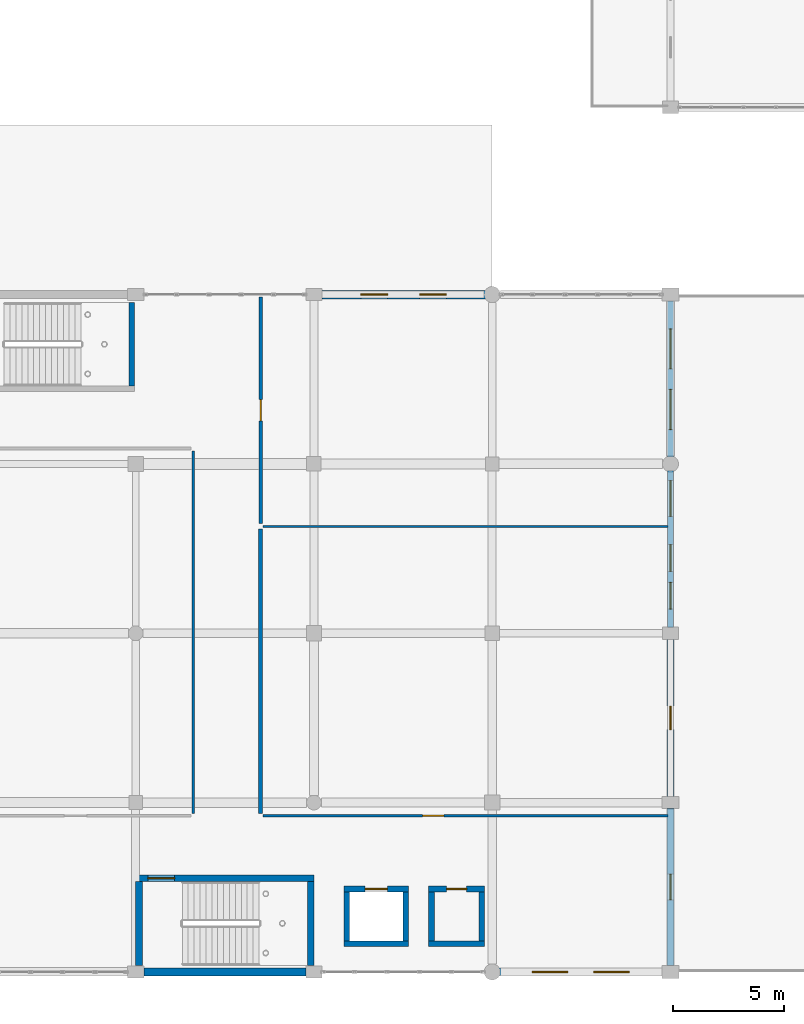
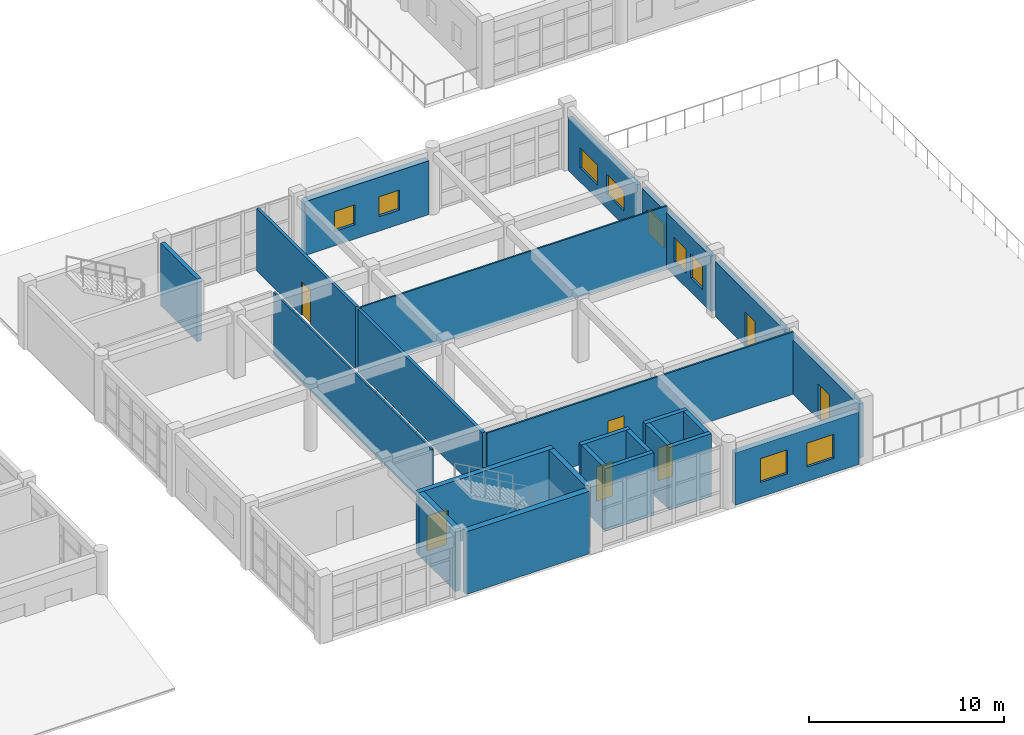
# One storey, part 172 of 195: 24 walls, 9 windows, 7 doors, 16 openings.
"""IFC4 building model written with IfcOpenShell, lengths in metres."""

from ifc_helpers import new_model, si_unit, direction, frame, frame_2d, origin, place, context, subcontext, project, spatial, rectangle, extrude, material, layer, layer_set, type_object, element, fill, save


model = new_model("IFC4")

# Units and contexts
model_context = context("Model", 3, precision=1e-05, world=origin(), true_north=direction((0.0, 1.0)))
body_context = subcontext(model_context, "Body", "Model", "MODEL_VIEW")
ifc_project = project(units=[si_unit("LENGTHUNIT", "METRE"), si_unit("AREAUNIT", "SQUARE_METRE"), si_unit("VOLUMEUNIT", "CUBIC_METRE"), si_unit("PLANEANGLEUNIT", "RADIAN"), si_unit("MASSUNIT", "GRAM", prefix="KILO")], contexts=[model_context])

# Site, building, storey
site_placement = place(None, origin())
site = spatial("IfcSite", under=ifc_project, at=site_placement, CompositionType="ELEMENT")
building_placement = place(site_placement, origin())
building = spatial("IfcBuilding", under=site, at=building_placement, Name="Kharva Crest Polytechnic", CompositionType="ELEMENT")
storey_placement = place(building_placement, frame((0.0, 0.0, 9.0)))
storey = spatial("IfcBuildingStorey", under=building, at=storey_placement, Name="L02", CompositionType="ELEMENT", Elevation=9.0)

# Wall, opening, door
ifc_material_1 = material(Name="Concrete C40/50", Category="concrete")
ifc_layer_1 = layer(ifc_material_1, 0.300048828125, Name="Concrete C40/50")
ifc_layer_set_1 = layer_set([ifc_layer_1], Name="Concrete C40/50")
wall_type_1 = type_object("IfcWallType", Name="WL-CORE-CW2-300", PredefinedType="SHEAR", material=ifc_layer_set_1)
wall_1_placement = place(storey_placement, frame((128.800048828125, 4.2099609375, 0.0), z_axis=(0.0, 0.0, 1.0), x_axis=(1.0, 0.0, 0.0)))
wall_1 = element("IfcWall", 1, at=wall_1_placement, inside=storey, type_object=wall_type_1, Name="L02 South-East Refectory Escarpment Core C6 North Shear Wall", PredefinedType="SHEAR", context=body_context, shape_type="SweptSolid", body=[
    extrude(rectangle(XDim=8.0, YDim=0.300048828125, at=frame_2d((4.0, 0.0))), origin(), (0.0, 0.0, 1.0), 3.919921875),
])
opening_1_placement = place(wall_1_placement, frame((0.550048828125, 0.0, 0.0)))
opening_1 = element("IfcOpeningElement", 2, at=opening_1_placement, cuts=wall_1, Name="Opening FD1", PredefinedType="OPENING", context=body_context, shape_type="SweptSolid", body=[
    extrude(rectangle(XDim=1.199951171875, YDim=2.199951171875, at=frame_2d((0.60009765625, 1.10009765625))), frame((0.0, 0.159912109375, 0.0), z_axis=(0.0, -1.0, 0.0), x_axis=(1.0, 0.0, 0.0)), (0.0, 0.0, 1.0), 0.320068359375),
])
ifc_material_2 = material(Name="Teak timber", Category="wood")
door_type_1 = type_object("IfcDoorType", Name="DR-STAIR-1200X2200", OperationType="NOTDEFINED", PredefinedType="DOOR", material=ifc_material_2)
door_1_placement = place(opening_1_placement, origin())
door_1 = element("IfcDoor", 3, at=door_1_placement, inside=storey, type_object=door_type_1, Name="L02 ST-06 Stair Door", OperationType="SINGLE_SWING_LEFT", OverallHeight=2.199951171875, OverallWidth=1.199951171875, PredefinedType="DOOR", context=body_context, shape_type="SweptSolid", body=[
    extrude(rectangle(XDim=1.199951171875, YDim=2.199951171875, at=frame_2d((0.60009765625, 1.10009765625))), frame((0.0, 0.02490234375, 0.0), z_axis=(0.0, -1.0, 0.0), x_axis=(1.0, 0.0, 0.0)), (0.0, 0.0, 1.0), 0.050048828125),
])
fill(opening_1, door_1)

# Walls
for number, where, z_axis, x_axis, name in (
    (4, (128.949951171875, 0.300048828125, 0.0), (0.0, 0.0, 1.0), (0.0, 1.0, 0.0), "L02 South-East Refectory Escarpment Core C6 West Shear Wall"),
    (5, (136.64990234375, 0.300048828125, 0.0), (0.0, 0.0, 1.0), (0.0, 1.0, 0.0), "L02 South-East Refectory Escarpment Core C6 East Shear Wall"),
):
    element("IfcWall", number, at=place(storey_placement, frame(where, z_axis=z_axis, x_axis=x_axis)), inside=storey, type_object=wall_type_1, Name=name, PredefinedType="SHEAR", context=body_context, shape_type="SweptSolid", body=[
        extrude(rectangle(XDim=3.760009765625, YDim=0.300048828125, at=frame_2d((1.8798828125, 0.0))), origin(), (0.0, 0.0, 1.0), 3.919921875),
    ])

# Wall, openings, windows
ifc_material_3 = material(Name="Kiln brick masonry", Category="masonry")
ifc_layer_2 = layer(ifc_material_3, 0.27490234375, Name="Kiln brick masonry")
ifc_layer_set_2 = layer_set([ifc_layer_2], Name="Kiln brick masonry")
wall_type_2 = type_object("IfcWallType", Name="WL-EXT-BRK-275", PredefinedType="SOLIDWALL", material=ifc_layer_set_2)
wall_2_placement = place(storey_placement, frame((152.800048828125, 23.102294921875, 0.0), z_axis=(0.0, 0.0, 1.0), x_axis=(0.0, 1.0, 0.0)))
wall_2 = element("IfcWall", 6, at=wall_2_placement, inside=storey, type_object=wall_type_2, Name="L02 Exterior Brick Wall 246", PredefinedType="SOLIDWALL", context=body_context, shape_type="SweptSolid", body=[
    extrude(rectangle(XDim=7.002685546875, YDim=0.27490234375, at=frame_2d((3.50146484375, 0.0))), origin(), (0.0, 0.0, 1.0), 3.300048828125),
])
opening_2_placement = place(wall_2_placement, frame((1.240966796875, 0.0, 0.89990234375)))
opening_2 = element("IfcOpeningElement", 7, at=opening_2_placement, cuts=wall_2, Name="Opening W19", PredefinedType="OPENING", context=body_context, shape_type="SweptSolid", body=[
    extrude(rectangle(XDim=1.800048828125, YDim=1.25, at=frame_2d((0.89990234375, 0.625))), frame((0.0, 0.1474609375, 0.0), z_axis=(0.0, -1.0, 0.0), x_axis=(1.0, 0.0, 0.0)), (0.0, 0.0, 1.0), 0.294921875),
])
opening_3_placement = place(wall_2_placement, frame((3.9619140625, 0.0, 0.89990234375)))
opening_3 = element("IfcOpeningElement", 8, at=opening_3_placement, cuts=wall_2, Name="Opening W19", PredefinedType="OPENING", context=body_context, shape_type="SweptSolid", body=[
    extrude(rectangle(XDim=1.800048828125, YDim=1.25, at=frame_2d((0.89990234375, 0.625))), frame((0.0, 0.1474609375, 0.0), z_axis=(0.0, -1.0, 0.0), x_axis=(1.0, 0.0, 0.0)), (0.0, 0.0, 1.0), 0.294921875),
])
ifc_material_4 = material(Name="Anodised aluminium", Category="aluminium")
window_type_1 = type_object("IfcWindowType", Name="WIN-ALU-1800X1250", PartitioningType="SINGLE_PANEL", PredefinedType="WINDOW", material=ifc_material_4)
window_1_placement = place(opening_2_placement, origin())
window_1 = element("IfcWindow", 9, at=window_1_placement, inside=storey, type_object=window_type_1, Name="L02 Exterior Window 328", OverallHeight=1.25, OverallWidth=1.800048828125, PartitioningType="SINGLE_PANEL", PredefinedType="WINDOW", context=body_context, shape_type="SweptSolid", body=[
    extrude(rectangle(XDim=1.800048828125, YDim=1.25, at=frame_2d((0.89990234375, 0.625))), frame((0.0, 0.030029296875, 0.0), z_axis=(0.0, -1.0, 0.0), x_axis=(1.0, 0.0, 0.0)), (0.0, 0.0, 1.0), 0.06005859375),
])
fill(opening_2, window_1)
window_2_placement = place(opening_3_placement, origin())
window_2 = element("IfcWindow", 10, at=window_2_placement, inside=storey, type_object=window_type_1, Name="L02 Exterior Window 329", OverallHeight=1.25, OverallWidth=1.800048828125, PartitioningType="SINGLE_PANEL", PredefinedType="WINDOW", context=body_context, shape_type="SweptSolid", body=[
    extrude(rectangle(XDim=1.800048828125, YDim=1.25, at=frame_2d((0.89990234375, 0.625))), frame((0.0, 0.030029296875, 0.0), z_axis=(0.0, -1.0, 0.0), x_axis=(1.0, 0.0, 0.0)), (0.0, 0.0, 1.0), 0.06005859375),
])
fill(opening_3, window_2)

ifc_layer_3 = layer(ifc_material_3, 0.2900390625, Name="Kiln brick masonry")
ifc_layer_set_3 = layer_set([ifc_layer_3], Name="Kiln brick masonry")
wall_type_3 = type_object("IfcWallType", Name="WL-EXT-BRK-290", PredefinedType="SOLIDWALL", material=ifc_layer_set_3)
wall_3_placement = place(storey_placement, frame((152.800048828125, 15.469970703125, 0.0), z_axis=(0.0, 0.0, 1.0), x_axis=(0.0, 1.0, 0.0)))
wall_3 = element("IfcWall", 11, at=wall_3_placement, inside=storey, type_object=wall_type_3, Name="L02 Exterior Brick Wall 245", PredefinedType="SOLIDWALL", context=body_context, shape_type="SweptSolid", body=[
    extrude(rectangle(XDim=7.027587890625, YDim=0.2900390625, at=frame_2d((3.513671875, 0.0))), origin(), (0.0, 0.0, 1.0), 3.47998046875),
])
opening_4_placement = place(wall_3_placement, frame((0.81689453125, 0.0, 0.89990234375)))
opening_4 = element("IfcOpeningElement", 12, at=opening_4_placement, cuts=wall_3, Name="Opening W16", PredefinedType="OPENING", context=body_context, shape_type="SweptSolid", body=[
    extrude(rectangle(XDim=1.199951171875, YDim=1.5, at=frame_2d((0.60009765625, 0.75))), frame((0.0, 0.155029296875, 0.0), z_axis=(0.0, -1.0, 0.0), x_axis=(1.0, 0.0, 0.0)), (0.0, 0.0, 1.0), 0.31005859375),
])
opening_5_placement = place(wall_3_placement, frame((2.512939453125, 0.0, 0.89990234375)))
opening_5 = element("IfcOpeningElement", 13, at=opening_5_placement, cuts=wall_3, Name="Opening W16", PredefinedType="OPENING", context=body_context, shape_type="SweptSolid", body=[
    extrude(rectangle(XDim=1.199951171875, YDim=1.5, at=frame_2d((0.60009765625, 0.75))), frame((0.0, 0.155029296875, 0.0), z_axis=(0.0, -1.0, 0.0), x_axis=(1.0, 0.0, 0.0)), (0.0, 0.0, 1.0), 0.31005859375),
])
opening_6_placement = place(wall_3_placement, frame((4.97900390625, 0.0, 0.89990234375)))
opening_6 = element("IfcOpeningElement", 14, at=opening_6_placement, cuts=wall_3, Name="Opening W14", PredefinedType="OPENING", context=body_context, shape_type="SweptSolid", body=[
    extrude(rectangle(XDim=1.60009765625, YDim=1.5, at=frame_2d((0.800048828125, 0.75))), frame((0.0, 0.155029296875, 0.0), z_axis=(0.0, -1.0, 0.0), x_axis=(1.0, 0.0, 0.0)), (0.0, 0.0, 1.0), 0.31005859375),
])
window_type_2 = type_object("IfcWindowType", Name="WIN-ALU-1200X1500", PartitioningType="SINGLE_PANEL", PredefinedType="WINDOW", material=ifc_material_4)
window_3_placement = place(opening_4_placement, origin())
window_3 = element("IfcWindow", 15, at=window_3_placement, inside=storey, type_object=window_type_2, Name="L02 Exterior Window 325", OverallHeight=1.5, OverallWidth=1.199951171875, PartitioningType="SINGLE_PANEL", PredefinedType="WINDOW", context=body_context, shape_type="SweptSolid", body=[
    extrude(rectangle(XDim=1.199951171875, YDim=1.5, at=frame_2d((0.60009765625, 0.75))), frame((0.0, 0.030029296875, 0.0), z_axis=(0.0, -1.0, 0.0), x_axis=(1.0, 0.0, 0.0)), (0.0, 0.0, 1.0), 0.06005859375),
])
fill(opening_4, window_3)
window_4_placement = place(opening_5_placement, origin())
window_4 = element("IfcWindow", 16, at=window_4_placement, inside=storey, type_object=window_type_2, Name="L02 Exterior Window 326", OverallHeight=1.5, OverallWidth=1.199951171875, PartitioningType="SINGLE_PANEL", PredefinedType="WINDOW", context=body_context, shape_type="SweptSolid", body=[
    extrude(rectangle(XDim=1.199951171875, YDim=1.5, at=frame_2d((0.60009765625, 0.75))), frame((0.0, 0.030029296875, 0.0), z_axis=(0.0, -1.0, 0.0), x_axis=(1.0, 0.0, 0.0)), (0.0, 0.0, 1.0), 0.06005859375),
])
fill(opening_5, window_4)
window_type_3 = type_object("IfcWindowType", Name="WIN-ALU-1600X1500", PartitioningType="SINGLE_PANEL", PredefinedType="WINDOW", material=ifc_material_4)
window_5_placement = place(opening_6_placement, origin())
window_5 = element("IfcWindow", 17, at=window_5_placement, inside=storey, type_object=window_type_3, Name="L02 Exterior Window 327", OverallHeight=1.5, OverallWidth=1.60009765625, PartitioningType="SINGLE_PANEL", PredefinedType="WINDOW", context=body_context, shape_type="SweptSolid", body=[
    extrude(rectangle(XDim=1.60009765625, YDim=1.5, at=frame_2d((0.800048828125, 0.75))), frame((0.0, 0.030029296875, 0.0), z_axis=(0.0, -1.0, 0.0), x_axis=(1.0, 0.0, 0.0)), (0.0, 0.0, 1.0), 0.06005859375),
])
fill(opening_6, window_5)

# Wall, opening, door
ifc_layer_4 = layer(ifc_material_3, 0.304931640625, Name="Kiln brick masonry")
ifc_layer_set_4 = layer_set([ifc_layer_4], Name="Kiln brick masonry")
wall_type_4 = type_object("IfcWallType", Name="WL-EXT-BRK-305", PredefinedType="SOLIDWALL", material=ifc_layer_set_4)
wall_4_placement = place(storey_placement, frame((152.800048828125, 7.8701171875, 0.0), z_axis=(0.0, 0.0, 1.0), x_axis=(0.0, 1.0, 0.0)))
wall_4 = element("IfcWall", 18, at=wall_4_placement, inside=storey, type_object=wall_type_4, Name="L02 Exterior Brick Wall 244", PredefinedType="SOLIDWALL", context=body_context, shape_type="SweptSolid", body=[
    extrude(rectangle(XDim=7.059814453125, YDim=0.304931640625, at=frame_2d((3.52978515625, 0.0))), origin(), (0.0, 0.0, 1.0), 3.4599609375),
])
opening_7_placement = place(wall_4_placement, frame((3.0048828125, 0.0, 0.0)))
opening_7 = element("IfcOpeningElement", 19, at=opening_7_placement, cuts=wall_4, Name="Opening ED10", PredefinedType="OPENING", context=body_context, shape_type="SweptSolid", body=[
    extrude(rectangle(XDim=1.050048828125, YDim=2.14990234375, at=frame_2d((0.52490234375, 1.074951171875))), frame((0.0, 0.162353515625, 0.0), z_axis=(0.0, -1.0, 0.0), x_axis=(1.0, 0.0, 0.0)), (0.0, 0.0, 1.0), 0.324951171875),
])
door_type_2 = type_object("IfcDoorType", Name="DR-EXT-TER-1050X2150", OperationType="NOTDEFINED", PredefinedType="DOOR", material=ifc_material_4)
door_2_placement = place(opening_7_placement, frame((1.050048828125, 0.0, 0.0), z_axis=(0.0, 0.0, 1.0), x_axis=(-1.0, 0.0, 0.0)))
door_2 = element("IfcDoor", 20, at=door_2_placement, inside=storey, type_object=door_type_2, Name="L02 TER_SE_L02 Access Door 43", OperationType="SINGLE_SWING_LEFT", OverallHeight=2.14990234375, OverallWidth=1.050048828125, PredefinedType="DOOR", context=body_context, shape_type="SweptSolid", body=[
    extrude(rectangle(XDim=1.050048828125, YDim=2.14990234375, at=frame_2d((0.52490234375, 1.074951171875))), frame((0.0, 0.02490234375, 0.0), z_axis=(0.0, -1.0, 0.0), x_axis=(1.0, 0.0, 0.0)), (0.0, 0.0, 1.0), 0.050048828125),
])
fill(opening_7, door_2)

ifc_layer_5 = layer(ifc_material_3, 0.320068359375, Name="Kiln brick masonry")
ifc_layer_set_5 = layer_set([ifc_layer_5], Name="Kiln brick masonry")
wall_type_5 = type_object("IfcWallType", Name="WL-EXT-BRK-320", PredefinedType="SOLIDWALL", material=ifc_layer_set_5)
wall_5_placement = place(storey_placement, frame((152.800048828125, 0.294921875, 0.0), z_axis=(0.0, 0.0, 1.0), x_axis=(0.0, 1.0, 0.0)))
wall_5 = element("IfcWall", 21, at=wall_5_placement, inside=storey, type_object=wall_type_5, Name="L02 Exterior Brick Wall 243", PredefinedType="SOLIDWALL", context=body_context, shape_type="SweptSolid", body=[
    extrude(rectangle(XDim=7.03515625, YDim=0.320068359375, at=frame_2d((3.517578125, 0.0))), origin(), (0.0, 0.0, 1.0), 3.39990234375),
])
opening_8_placement = place(wall_5_placement, frame((2.94189453125, 0.0, 0.0)))
opening_8 = element("IfcOpeningElement", 22, at=opening_8_placement, cuts=wall_5, Name="Opening ED9", PredefinedType="OPENING", context=body_context, shape_type="SweptSolid", body=[
    extrude(rectangle(XDim=1.14990234375, YDim=2.199951171875, at=frame_2d((0.574951171875, 1.10009765625))), frame((0.0, 0.169921875, 0.0), z_axis=(0.0, -1.0, 0.0), x_axis=(1.0, 0.0, 0.0)), (0.0, 0.0, 1.0), 0.340087890625),
])
door_type_3 = type_object("IfcDoorType", Name="DR-EXT-TER-1150X2200", OperationType="NOTDEFINED", PredefinedType="DOOR", material=ifc_material_4)
door_3_placement = place(opening_8_placement, frame((1.14990234375, 0.0, 0.0), z_axis=(0.0, 0.0, 1.0), x_axis=(-1.0, 0.0, 0.0)))
door_3 = element("IfcDoor", 23, at=door_3_placement, inside=storey, type_object=door_type_3, Name="L02 TER_SE_L02 Access Door 42", OperationType="SINGLE_SWING_RIGHT", OverallHeight=2.199951171875, OverallWidth=1.14990234375, PredefinedType="DOOR", context=body_context, shape_type="SweptSolid", body=[
    extrude(rectangle(XDim=1.14990234375, YDim=2.199951171875, at=frame_2d((0.574951171875, 1.10009765625))), frame((0.0, 0.02490234375, 0.0), z_axis=(0.0, -1.0, 0.0), x_axis=(1.0, 0.0, 0.0)), (0.0, 0.0, 1.0), 0.050048828125),
])
fill(opening_8, door_3)

# Wall, openings, windows
ifc_layer_6 = layer(ifc_material_3, 0.3349609375, Name="Kiln brick masonry")
ifc_layer_set_6 = layer_set([ifc_layer_6], Name="Kiln brick masonry")
wall_type_6 = type_object("IfcWallType", Name="WL-EXT-BRK-335", PredefinedType="SOLIDWALL", material=ifc_layer_set_6)
wall_6_placement = place(storey_placement, frame((145.102294921875, 0.0, 0.0), z_axis=(0.0, 0.0, 1.0), x_axis=(1.0, 0.0, 0.0)))
wall_6 = element("IfcWall", 24, at=wall_6_placement, inside=storey, type_object=wall_type_6, Name="L02 Exterior Brick Wall 242", PredefinedType="SOLIDWALL", context=body_context, shape_type="SweptSolid", body=[
    extrude(rectangle(XDim=7.32763671875, YDim=0.3349609375, at=frame_2d((3.663818359375, 0.0))), origin(), (0.0, 0.0, 1.0), 3.27001953125),
])
opening_9_placement = place(wall_6_placement, frame((1.48291015625, 0.0, 0.89990234375)))
opening_9 = element("IfcOpeningElement", 25, at=opening_9_placement, cuts=wall_6, Name="Opening W14", PredefinedType="OPENING", context=body_context, shape_type="SweptSolid", body=[
    extrude(rectangle(XDim=1.60009765625, YDim=1.5, at=frame_2d((0.800048828125, 0.75))), frame((0.0, 0.177490234375, 0.0), z_axis=(0.0, -1.0, 0.0), x_axis=(1.0, 0.0, 0.0)), (0.0, 0.0, 1.0), 0.35498046875),
])
opening_10_placement = place(wall_6_placement, frame((4.2451171875, 0.0, 0.89990234375)))
opening_10 = element("IfcOpeningElement", 26, at=opening_10_placement, cuts=wall_6, Name="Opening W14", PredefinedType="OPENING", context=body_context, shape_type="SweptSolid", body=[
    extrude(rectangle(XDim=1.60009765625, YDim=1.5, at=frame_2d((0.800048828125, 0.75))), frame((0.0, 0.177490234375, 0.0), z_axis=(0.0, -1.0, 0.0), x_axis=(1.0, 0.0, 0.0)), (0.0, 0.0, 1.0), 0.35498046875),
])
window_6_placement = place(opening_9_placement, origin())
window_6 = element("IfcWindow", 27, at=window_6_placement, inside=storey, type_object=window_type_3, Name="L02 Exterior Window 323", OverallHeight=1.5, OverallWidth=1.60009765625, PartitioningType="SINGLE_PANEL", PredefinedType="WINDOW", context=body_context, shape_type="SweptSolid", body=[
    extrude(rectangle(XDim=1.60009765625, YDim=1.5, at=frame_2d((0.800048828125, 0.75))), frame((0.0, 0.030029296875, 0.0), z_axis=(0.0, -1.0, 0.0), x_axis=(1.0, 0.0, 0.0)), (0.0, 0.0, 1.0), 0.06005859375),
])
fill(opening_9, window_6)
window_7_placement = place(opening_10_placement, origin())
window_7 = element("IfcWindow", 28, at=window_7_placement, inside=storey, type_object=window_type_3, Name="L02 Exterior Window 324", OverallHeight=1.5, OverallWidth=1.60009765625, PartitioningType="SINGLE_PANEL", PredefinedType="WINDOW", context=body_context, shape_type="SweptSolid", body=[
    extrude(rectangle(XDim=1.60009765625, YDim=1.5, at=frame_2d((0.800048828125, 0.75))), frame((0.0, 0.030029296875, 0.0), z_axis=(0.0, -1.0, 0.0), x_axis=(1.0, 0.0, 0.0)), (0.0, 0.0, 1.0), 0.06005859375),
])
fill(opening_10, window_7)

# Wall
ifc_layer_7 = layer(ifc_material_3, 0.364990234375, Name="Kiln brick masonry")
ifc_layer_set_7 = layer_set([ifc_layer_7], Name="Kiln brick masonry")
wall_type_7 = type_object("IfcWallType", Name="WL-EXT-BRK-365", PredefinedType="SOLIDWALL", material=ifc_layer_set_7)
wall_7_placement = place(storey_placement, frame((129.169921875, 0.0, 0.0), z_axis=(0.0, 0.0, 1.0), x_axis=(1.0, 0.0, 0.0)))
element("IfcWall", 29, at=wall_7_placement, inside=storey, type_object=wall_type_7, Name="L02 Exterior Brick Wall 241", PredefinedType="SOLIDWALL", context=body_context, shape_type="SweptSolid", body=[
    extrude(rectangle(XDim=7.275146484375, YDim=0.364990234375, at=frame_2d((3.6376953125, 0.0))), origin(), (0.0, 0.0, 1.0), 3.919921875),
])

# Wall, openings, windows
ifc_layer_8 = layer(ifc_material_3, 0.3798828125, Name="Kiln brick masonry")
ifc_layer_set_8 = layer_set([ifc_layer_8], Name="Kiln brick masonry")
wall_type_8 = type_object("IfcWallType", Name="WL-EXT-BRK-380", PredefinedType="SOLIDWALL", material=ifc_layer_set_8)
wall_8_placement = place(storey_placement, frame((144.49755859375, 30.39990234375, 0.0), z_axis=(0.0, 0.0, 1.0), x_axis=(-1.0, 0.0, 0.0)))
wall_8 = element("IfcWall", 30, at=wall_8_placement, inside=storey, type_object=wall_type_8, Name="L02 Exterior Brick Wall 247", PredefinedType="SOLIDWALL", context=body_context, shape_type="SweptSolid", body=[
    extrude(rectangle(XDim=7.342529296875, YDim=0.3798828125, at=frame_2d((3.67138671875, 0.0))), origin(), (0.0, 0.0, 1.0), 3.3701171875),
])
opening_11_placement = place(wall_8_placement, frame((1.75390625, 0.0, 0.89990234375)))
opening_11 = element("IfcOpeningElement", 31, at=opening_11_placement, cuts=wall_8, Name="Opening W21", PredefinedType="OPENING", context=body_context, shape_type="SweptSolid", body=[
    extrude(rectangle(XDim=1.199951171875, YDim=1.25, at=frame_2d((0.60009765625, 0.625))), frame((0.0, 0.199951171875, 0.0), z_axis=(0.0, -1.0, 0.0), x_axis=(1.0, 0.0, 0.0)), (0.0, 0.0, 1.0), 0.39990234375),
])
opening_12_placement = place(wall_8_placement, frame((4.387939453125, 0.0, 0.89990234375)))
opening_12 = element("IfcOpeningElement", 32, at=opening_12_placement, cuts=wall_8, Name="Opening W21", PredefinedType="OPENING", context=body_context, shape_type="SweptSolid", body=[
    extrude(rectangle(XDim=1.199951171875, YDim=1.25, at=frame_2d((0.60009765625, 0.625))), frame((0.0, 0.199951171875, 0.0), z_axis=(0.0, -1.0, 0.0), x_axis=(1.0, 0.0, 0.0)), (0.0, 0.0, 1.0), 0.39990234375),
])
window_type_4 = type_object("IfcWindowType", Name="WIN-ALU-1200X1250", PartitioningType="SINGLE_PANEL", PredefinedType="WINDOW", material=ifc_material_4)
window_8_placement = place(opening_11_placement, origin())
window_8 = element("IfcWindow", 33, at=window_8_placement, inside=storey, type_object=window_type_4, Name="L02 Exterior Window 330", OverallHeight=1.25, OverallWidth=1.199951171875, PartitioningType="SINGLE_PANEL", PredefinedType="WINDOW", context=body_context, shape_type="SweptSolid", body=[
    extrude(rectangle(XDim=1.199951171875, YDim=1.25, at=frame_2d((0.60009765625, 0.625))), frame((0.0, 0.030029296875, 0.0), z_axis=(0.0, -1.0, 0.0), x_axis=(1.0, 0.0, 0.0)), (0.0, 0.0, 1.0), 0.06005859375),
])
fill(opening_11, window_8)
window_9_placement = place(opening_12_placement, origin())
window_9 = element("IfcWindow", 34, at=window_9_placement, inside=storey, type_object=window_type_4, Name="L02 Exterior Window 331", OverallHeight=1.25, OverallWidth=1.199951171875, PartitioningType="SINGLE_PANEL", PredefinedType="WINDOW", context=body_context, shape_type="SweptSolid", body=[
    extrude(rectangle(XDim=1.199951171875, YDim=1.25, at=frame_2d((0.60009765625, 0.625))), frame((0.0, 0.030029296875, 0.0), z_axis=(0.0, -1.0, 0.0), x_axis=(1.0, 0.0, 0.0)), (0.0, 0.0, 1.0), 0.06005859375),
])
fill(opening_12, window_9)

# Wall
ifc_layer_9 = layer(ifc_material_3, 0.090087890625, Name="Kiln brick masonry")
ifc_layer_set_9 = layer_set([ifc_layer_9], Name="Kiln brick masonry")
wall_type_9 = type_object("IfcWallType", Name="WL-PART-090", PredefinedType="PARTITIONING", material=ifc_layer_set_9)
wall_9_placement = place(storey_placement, frame((134.52001953125, 20.0, 0.0), z_axis=(0.0, 0.0, 1.0), x_axis=(1.0, 0.0, 0.0)))
element("IfcWall", 35, at=wall_9_placement, inside=storey, type_object=wall_type_9, Name="L02 Interior Partition 239", PredefinedType="PARTITIONING", context=body_context, shape_type="SweptSolid", body=[
    extrude(rectangle(XDim=18.169921875, YDim=0.090087890625, at=frame_2d((9.0849609375, 0.0))), origin(), (0.0, 0.0, 1.0), 3.89990234375),
])

# Wall, opening, door
ifc_layer_10 = layer(ifc_material_3, 0.10009765625, Name="Kiln brick masonry")
ifc_layer_set_10 = layer_set([ifc_layer_10], Name="Kiln brick masonry")
wall_type_10 = type_object("IfcWallType", Name="WL-PART-100", PredefinedType="PARTITIONING", material=ifc_layer_set_10)
wall_10_placement = place(storey_placement, frame((134.52001953125, 7.010009765625, 0.0), z_axis=(0.0, 0.0, 1.0), x_axis=(1.0, 0.0, 0.0)))
wall_10 = element("IfcWall", 36, at=wall_10_placement, inside=storey, type_object=wall_type_10, Name="L02 Interior Partition 238", PredefinedType="PARTITIONING", context=body_context, shape_type="SweptSolid", body=[
    extrude(rectangle(XDim=18.169921875, YDim=0.10009765625, at=frame_2d((9.0849609375, 0.0))), origin(), (0.0, 0.0, 1.0), 3.89990234375),
])
opening_13_placement = place(wall_10_placement, frame((7.15087890625, 0.0, 0.0)))
opening_13 = element("IfcOpeningElement", 37, at=opening_13_placement, cuts=wall_10, Name="Opening ID13", PredefinedType="OPENING", context=body_context, shape_type="SweptSolid", body=[
    extrude(rectangle(XDim=0.9599609375, YDim=2.14990234375, at=frame_2d((0.47998046875, 1.074951171875))), frame((0.0, 0.06005859375, 0.0), z_axis=(0.0, -1.0, 0.0), x_axis=(1.0, 0.0, 0.0)), (0.0, 0.0, 1.0), 0.1201171875),
])
door_type_4 = type_object("IfcDoorType", Name="DR-OFF-960X2150", OperationType="NOTDEFINED", PredefinedType="DOOR", material=ifc_material_2)
door_4_placement = place(opening_13_placement, origin())
door_4 = element("IfcDoor", 38, at=door_4_placement, inside=storey, type_object=door_type_4, Name="L02 Faculty Dining Room Door", OperationType="SINGLE_SWING_RIGHT", OverallHeight=2.14990234375, OverallWidth=0.9599609375, PredefinedType="DOOR", context=body_context, shape_type="SweptSolid", body=[
    extrude(rectangle(XDim=0.9599609375, YDim=2.14990234375, at=frame_2d((0.47998046875, 1.074951171875))), frame((0.0, 0.02490234375, 0.0), z_axis=(0.0, -1.0, 0.0), x_axis=(1.0, 0.0, 0.0)), (0.0, 0.0, 1.0), 0.050048828125),
])
fill(opening_13, door_4)

# Wall
ifc_layer_11 = layer(ifc_material_3, 0.110107421875, Name="Kiln brick masonry")
ifc_layer_set_11 = layer_set([ifc_layer_11], Name="Kiln brick masonry")
wall_type_11 = type_object("IfcWallType", Name="WL-PART-110", PredefinedType="PARTITIONING", material=ifc_layer_set_11)
wall_11_placement = place(storey_placement, frame((131.389892578125, 7.1201171875, 0.0), z_axis=(0.0, 0.0, 1.0), x_axis=(0.0, 1.0, 0.0)))
element("IfcWall", 39, at=wall_11_placement, inside=storey, type_object=wall_type_11, Name="L02 Interior Partition 237", PredefinedType="PARTITIONING", context=body_context, shape_type="SweptSolid", body=[
    extrude(rectangle(XDim=16.259765625, YDim=0.110107421875, at=frame_2d((8.1298828125, 0.0))), origin(), (0.0, 0.0, 1.0), 3.89990234375),
])

# Wall, opening, door
ifc_layer_12 = layer(ifc_material_3, 0.169921875, Name="Kiln brick masonry")
ifc_layer_set_12 = layer_set([ifc_layer_12], Name="Kiln brick masonry")
wall_type_12 = type_object("IfcWallType", Name="WL-PART-170", PredefinedType="PARTITIONING", material=ifc_layer_set_12)
wall_12_placement = place(storey_placement, frame((134.409912109375, 20.1201171875, 0.0), z_axis=(0.0, 0.0, 1.0), x_axis=(0.0, 1.0, 0.0)))
wall_12 = element("IfcWall", 40, at=wall_12_placement, inside=storey, type_object=wall_type_12, Name="L02 Interior Partition 241", PredefinedType="PARTITIONING", context=body_context, shape_type="SweptSolid", body=[
    extrude(rectangle(XDim=10.169921875, YDim=0.169921875, at=frame_2d((5.0849609375, 0.0))), origin(), (0.0, 0.0, 1.0), 3.89990234375),
])
opening_14_placement = place(wall_12_placement, frame((4.610107421875, 0.0, 0.0)))
opening_14 = element("IfcOpeningElement", 41, at=opening_14_placement, cuts=wall_12, Name="Opening ID14", PredefinedType="OPENING", context=body_context, shape_type="SweptSolid", body=[
    extrude(rectangle(XDim=0.949951171875, YDim=2.10009765625, at=frame_2d((0.47509765625, 1.050048828125))), frame((0.0, 0.094970703125, 0.0), z_axis=(0.0, -1.0, 0.0), x_axis=(1.0, 0.0, 0.0)), (0.0, 0.0, 1.0), 0.18994140625),
])
door_type_5 = type_object("IfcDoorType", Name="DR-WC-950X2100", OperationType="NOTDEFINED", PredefinedType="DOOR", material=ifc_material_2)
door_5_placement = place(opening_14_placement, origin())
door_5 = element("IfcDoor", 42, at=door_5_placement, inside=storey, type_object=door_type_5, Name="L02 Refectory Upper Washrooms and Accessible WC Door", OperationType="SINGLE_SWING_LEFT", OverallHeight=2.10009765625, OverallWidth=0.949951171875, PredefinedType="DOOR", context=body_context, shape_type="SweptSolid", body=[
    extrude(rectangle(XDim=0.949951171875, YDim=2.10009765625, at=frame_2d((0.47509765625, 1.050048828125))), frame((0.0, 0.02490234375, 0.0), z_axis=(0.0, -1.0, 0.0), x_axis=(1.0, 0.0, 0.0)), (0.0, 0.0, 1.0), 0.050048828125),
])
fill(opening_14, door_5)

# Walls
ifc_layer_13 = layer(ifc_material_3, 0.179931640625, Name="Kiln brick masonry")
ifc_layer_set_13 = layer_set([ifc_layer_13], Name="Kiln brick masonry")
wall_type_13 = type_object("IfcWallType", Name="WL-PART-180", PredefinedType="PARTITIONING", material=ifc_layer_set_13)
wall_13_placement = place(storey_placement, frame((134.409912109375, 7.1201171875, 0.0), z_axis=(0.0, 0.0, 1.0), x_axis=(0.0, 1.0, 0.0)))
element("IfcWall", 43, at=wall_13_placement, inside=storey, type_object=wall_type_13, Name="L02 Interior Partition 240", PredefinedType="PARTITIONING", context=body_context, shape_type="SweptSolid", body=[
    extrude(rectangle(XDim=12.769775390625, YDim=0.179931640625, at=frame_2d((6.384765625, 0.0))), origin(), (0.0, 0.0, 1.0), 3.89990234375),
])
ifc_layer_14 = layer(ifc_material_1, 0.25, Name="Concrete C40/50")
ifc_layer_set_14 = layer_set([ifc_layer_14], Name="Concrete C40/50")
wall_type_14 = type_object("IfcWallType", Name="WL-SHEAR-SW1-250", PredefinedType="SHEAR", material=ifc_layer_set_14)
wall_14_placement = place(storey_placement, frame((138.14990234375, 1.27490234375, 0.0), z_axis=(0.0, 0.0, 1.0), x_axis=(1.0, 0.0, 0.0)))
element("IfcWall", 44, at=wall_14_placement, inside=storey, type_object=wall_type_14, Name="L02 Lift PL4 South Shaft Wall", PredefinedType="SHEAR", context=body_context, shape_type="SweptSolid", body=[
    extrude(rectangle(XDim=2.900146484375, YDim=0.25, at=frame_2d((1.4501953125, 0.0))), origin(), (0.0, 0.0, 1.0), 3.919921875),
])

# Wall, opening, door
wall_15_placement = place(storey_placement, frame((138.14990234375, 3.72509765625, 0.0), z_axis=(0.0, 0.0, 1.0), x_axis=(1.0, 0.0, 0.0)))
wall_15 = element("IfcWall", 45, at=wall_15_placement, inside=storey, type_object=wall_type_14, Name="L02 Lift PL4 North Shaft Wall", PredefinedType="SHEAR", context=body_context, shape_type="SweptSolid", body=[
    extrude(rectangle(XDim=2.900146484375, YDim=0.25, at=frame_2d((1.4501953125, 0.0))), origin(), (0.0, 0.0, 1.0), 3.919921875),
])
opening_15_placement = place(wall_15_placement, frame((0.949951171875, 0.0, 0.0)))
opening_15 = element("IfcOpeningElement", 46, at=opening_15_placement, cuts=wall_15, Name="Opening LD2", PredefinedType="OPENING", context=body_context, shape_type="SweptSolid", body=[
    extrude(rectangle(XDim=1.0, YDim=2.14990234375, at=frame_2d((0.5, 1.074951171875))), frame((0.0, 0.135009765625, 0.0), z_axis=(0.0, -1.0, 0.0), x_axis=(1.0, 0.0, 0.0)), (0.0, 0.0, 1.0), 0.27001953125),
])
door_type_6 = type_object("IfcDoorType", Name="DR-LIFT-LD2-1000X2150", OperationType="SLIDING_TO_LEFT", PredefinedType="DOOR", material=ifc_material_4)
door_6_placement = place(opening_15_placement, origin())
door_6 = element("IfcDoor", 47, at=door_6_placement, inside=storey, type_object=door_type_6, Name="L02 Lift PL4 Sliding Landing Door", OperationType="SLIDING_TO_LEFT", OverallHeight=2.14990234375, OverallWidth=1.0, PredefinedType="DOOR", context=body_context, shape_type="SweptSolid", body=[
    extrude(rectangle(XDim=1.0, YDim=2.14990234375, at=frame_2d((0.5, 1.074951171875))), frame((0.0, 0.02490234375, 0.0), z_axis=(0.0, -1.0, 0.0), x_axis=(1.0, 0.0, 0.0)), (0.0, 0.0, 1.0), 0.050048828125),
])
fill(opening_15, door_6)

# Walls
for number, where, z_axis, x_axis, name in (
    (48, (138.27490234375, 1.39990234375, 0.0), (0.0, 0.0, 1.0), (0.0, 1.0, 0.0), "L02 Lift PL4 West Shaft Wall"),
    (49, (140.925048828125, 1.39990234375, 0.0), (0.0, 0.0, 1.0), (0.0, 1.0, 0.0), "L02 Lift PL4 East Shaft Wall"),
):
    element("IfcWall", number, at=place(storey_placement, frame(where, z_axis=z_axis, x_axis=x_axis)), inside=storey, type_object=wall_type_14, Name=name, PredefinedType="SHEAR", context=body_context, shape_type="SweptSolid", body=[
        extrude(rectangle(XDim=2.2001953125, YDim=0.25, at=frame_2d((1.10009765625, 0.0))), origin(), (0.0, 0.0, 1.0), 3.919921875),
    ])
wall_16_placement = place(storey_placement, frame((141.949951171875, 1.27490234375, 0.0), z_axis=(0.0, 0.0, 1.0), x_axis=(1.0, 0.0, 0.0)))
element("IfcWall", 50, at=wall_16_placement, inside=storey, type_object=wall_type_14, Name="L02 Core C6 Riser South Wall", PredefinedType="SHEAR", context=body_context, shape_type="SweptSolid", body=[
    extrude(rectangle(XDim=2.5, YDim=0.25, at=frame_2d((1.25, 0.0))), origin(), (0.0, 0.0, 1.0), 3.919921875),
])

# Wall, opening, door
wall_17_placement = place(storey_placement, frame((141.949951171875, 3.72509765625, 0.0), z_axis=(0.0, 0.0, 1.0), x_axis=(1.0, 0.0, 0.0)))
wall_17 = element("IfcWall", 51, at=wall_17_placement, inside=storey, type_object=wall_type_14, Name="L02 Core C6 Riser North Wall", PredefinedType="SHEAR", context=body_context, shape_type="SweptSolid", body=[
    extrude(rectangle(XDim=2.5, YDim=0.25, at=frame_2d((1.25, 0.0))), origin(), (0.0, 0.0, 1.0), 3.919921875),
])
opening_16_placement = place(wall_17_placement, frame((0.800048828125, 0.0, 0.0)))
opening_16 = element("IfcOpeningElement", 52, at=opening_16_placement, cuts=wall_17, Name="Opening FD3", PredefinedType="OPENING", context=body_context, shape_type="SweptSolid", body=[
    extrude(rectangle(XDim=0.89990234375, YDim=2.050048828125, at=frame_2d((0.449951171875, 1.02490234375))), frame((0.0, 0.135009765625, 0.0), z_axis=(0.0, -1.0, 0.0), x_axis=(1.0, 0.0, 0.0)), (0.0, 0.0, 1.0), 0.27001953125),
])
door_type_7 = type_object("IfcDoorType", Name="DR-RISER-900X2050", OperationType="NOTDEFINED", PredefinedType="DOOR", material=ifc_material_4)
door_7_placement = place(opening_16_placement, origin())
door_7 = element("IfcDoor", 53, at=door_7_placement, inside=storey, type_object=door_type_7, Name="L02 Core C6 Riser Access Door", OperationType="SINGLE_SWING_RIGHT", OverallHeight=2.050048828125, OverallWidth=0.89990234375, PredefinedType="DOOR", context=body_context, shape_type="SweptSolid", body=[
    extrude(rectangle(XDim=0.89990234375, YDim=2.050048828125, at=frame_2d((0.449951171875, 1.02490234375))), frame((0.0, 0.02490234375, 0.0), z_axis=(0.0, -1.0, 0.0), x_axis=(1.0, 0.0, 0.0)), (0.0, 0.0, 1.0), 0.050048828125),
])
fill(opening_16, door_7)

# Walls
for number, where, z_axis, x_axis, name in (
    (54, (142.074951171875, 1.39990234375, 0.0), (0.0, 0.0, 1.0), (0.0, 1.0, 0.0), "L02 Core C6 Riser West Wall"),
    (55, (144.324951171875, 1.39990234375, 0.0), (0.0, 0.0, 1.0), (0.0, 1.0, 0.0), "L02 Core C6 Riser East Wall"),
):
    element("IfcWall", number, at=place(storey_placement, frame(where, z_axis=z_axis, x_axis=x_axis)), inside=storey, type_object=wall_type_14, Name=name, PredefinedType="SHEAR", context=body_context, shape_type="SweptSolid", body=[
        extrude(rectangle(XDim=2.2001953125, YDim=0.25, at=frame_2d((1.10009765625, 0.0))), origin(), (0.0, 0.0, 1.0), 3.919921875),
    ])
wall_18_placement = place(storey_placement, frame((128.625, 26.2900390625, 0.0), z_axis=(0.0, 0.0, 1.0), x_axis=(0.0, 1.0, 0.0)))
element("IfcWall", 56, at=wall_18_placement, inside=storey, type_object=wall_type_14, Name="L02 South-East Escarpment Secondary Stair C7 East Shear Wall", PredefinedType="SHEAR", context=body_context, shape_type="SweptSolid", body=[
    extrude(rectangle(XDim=3.760009765625, YDim=0.25, at=frame_2d((1.8798828125, 0.0))), origin(), (0.0, 0.0, 1.0), 3.919921875),
])

save(model, "model.ifc")
